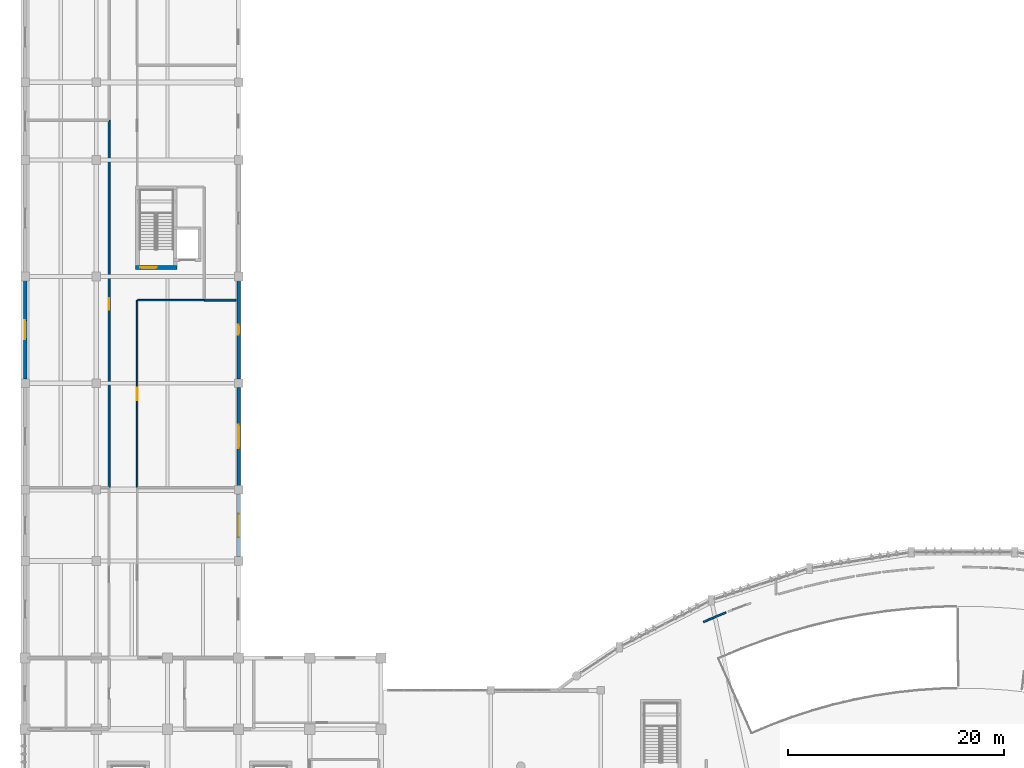
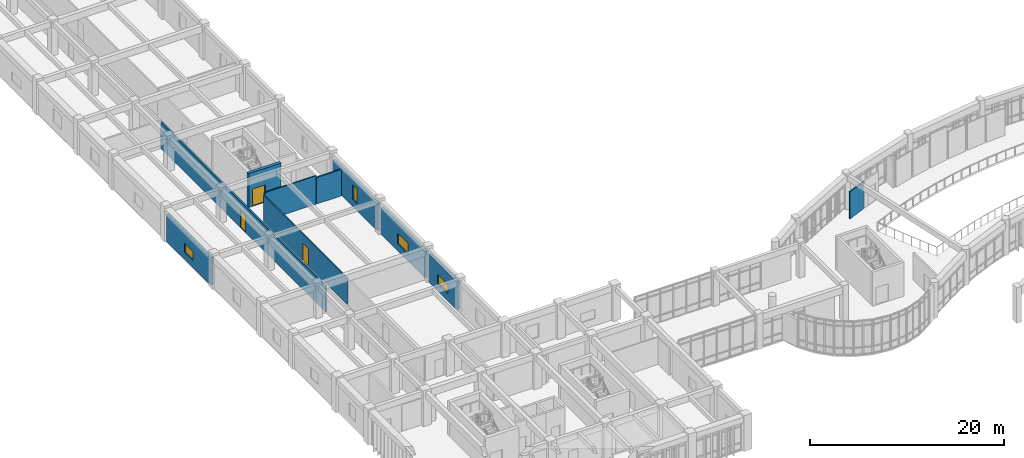
# One storey, part 44 of 57: 10 walls, 4 windows, 3 doors, 7 openings.
"""IFC4 building model written with IfcOpenShell, lengths in metres."""

from ifc_helpers import new_model, si_unit, direction, frame, frame_2d, origin, place, context, subcontext, project, spatial, rectangle, extrude, material, layer, layer_set, type_object, element, fill, save


model = new_model("IFC4")

# Units and contexts
model_context = context("Model", 3, precision=1e-05, world=origin(), true_north=direction((0.0, 1.0)))
body_context = subcontext(model_context, "Body", "Model", "MODEL_VIEW")
ifc_project = project(units=[si_unit("LENGTHUNIT", "METRE"), si_unit("AREAUNIT", "SQUARE_METRE"), si_unit("VOLUMEUNIT", "CUBIC_METRE"), si_unit("PLANEANGLEUNIT", "RADIAN"), si_unit("MASSUNIT", "GRAM", prefix="KILO")], contexts=[model_context])

# Site, building, storey
site_placement = place(None, origin())
site = spatial("IfcSite", under=ifc_project, at=site_placement, CompositionType="ELEMENT")
building_placement = place(site_placement, origin())
building = spatial("IfcBuilding", under=site, at=building_placement, Name="Miralva Faculty of Natural Sciences", CompositionType="ELEMENT")
storey_placement = place(building_placement, frame((0.0, 0.0, 15.0)))
storey = spatial("IfcBuildingStorey", under=building, at=storey_placement, Name="L03", CompositionType="ELEMENT", Elevation=15.0)

# Wall, opening, door
ifc_material_1 = material(Name="Concrete C50/60", Category="concrete")
ifc_layer_1 = layer(ifc_material_1, 0.35009765625, Name="WL-CW02")
ifc_layer_set_1 = layer_set([ifc_layer_1], Name="Concrete C50/60")
wall_type_1 = type_object("IfcWallType", Name="WL-CW02", PredefinedType="SHEAR", material=ifc_layer_set_1)
wall_1_placement = place(storey_placement, frame((13.25, 66.22509765625, 0.0), z_axis=(0.0, 0.0, 1.0), x_axis=(1.0, 0.0, 0.0)))
wall_1 = element("IfcWall", 1, at=wall_1_placement, inside=storey, type_object=wall_type_1, Name="Core C2 shear wall south L03", PredefinedType="SHEAR", context=body_context, shape_type="SweptSolid", body=[
    extrude(rectangle(XDim=3.85009765625, YDim=0.35009765625, at=frame_2d((1.925048828125, 0.0))), origin(), (0.0, 0.0, 1.0), 4.280029296875),
])
opening_1_placement = place(wall_1_placement, frame((0.449951171875, 0.0, 0.0)))
opening_1 = element("IfcOpeningElement", 2, at=opening_1_placement, cuts=wall_1, Name="Opening D-11", PredefinedType="OPENING", context=body_context, shape_type="SweptSolid", body=[
    extrude(rectangle(XDim=1.5, YDim=2.199951171875, at=frame_2d((0.75, 1.10009765625))), frame((0.0, 0.18505859375, 0.0), z_axis=(0.0, -1.0, 0.0), x_axis=(1.0, 0.0, 0.0)), (0.0, 0.0, 1.0), 0.3701171875),
])
ifc_material_2 = material(Name="Galvanised steel", Category="steel")
door_type_1 = type_object("IfcDoorType", Name="DR-DI11", OperationType="DOUBLE_DOOR_SINGLE_SWING", PredefinedType="DOOR", material=ifc_material_2)
door_1_placement = place(opening_1_placement, frame((1.5, 0.0, 0.0), z_axis=(0.0, 0.0, 1.0), x_axis=(-1.0, 0.0, 0.0)))
door_1 = element("IfcDoor", 3, at=door_1_placement, inside=storey, type_object=door_type_1, Name="Protected exit stair door Core C2 L03", OperationType="DOUBLE_DOOR_SINGLE_SWING", OverallHeight=2.199951171875, OverallWidth=1.5, PredefinedType="DOOR", context=body_context, shape_type="SweptSolid", body=[
    extrude(rectangle(XDim=1.5, YDim=2.199951171875, at=frame_2d((0.75, 1.10009765625))), frame((0.0, 0.02490234375, 0.0), z_axis=(0.0, -1.0, 0.0), x_axis=(1.0, 0.0, 0.0)), (0.0, 0.0, 1.0), 0.050048828125),
])
fill(opening_1, door_1)

# Wall
ifc_material_3 = material(Name="Gypsum plasterboard")
ifc_layer_2 = layer(ifc_material_3, 0.179931640625, Name="WL-PT02")
ifc_layer_set_2 = layer_set([ifc_layer_2], Name="Gypsum plasterboard")
wall_type_2 = type_object("IfcWallType", Name="WL-PT02", PredefinedType="PARTITIONING", material=ifc_layer_set_2)
wall_2_placement = place(storey_placement, frame((19.6298828125, 63.199951171875, 0.0), z_axis=(0.0, 0.0, 1.0), x_axis=(1.0, 0.0, 0.0)))
element("IfcWall", 4, at=wall_2_placement, inside=storey, type_object=wall_type_2, Name="Interior partition PT-02 L03-386", PredefinedType="PARTITIONING", context=body_context, shape_type="SweptSolid", body=[
    extrude(rectangle(XDim=2.940185546875, YDim=0.179931640625, at=frame_2d((1.47021484375, 0.0))), origin(), (0.0, 0.0, 1.0), 3.324951171875),
])

# Wall, opening, door
wall_3_placement = place(storey_placement, frame((10.800048828125, 45.830078125, 0.0), z_axis=(0.0, 0.0, 1.0), x_axis=(0.0, 1.0, 0.0)))
wall_3 = element("IfcWall", 5, at=wall_3_placement, inside=storey, type_object=wall_type_2, Name="Interior partition PT-02 L03-390", PredefinedType="PARTITIONING", context=body_context, shape_type="SweptSolid", body=[
    extrude(rectangle(XDim=34.0400390625, YDim=0.179931640625, at=frame_2d((17.02001953125, 0.0))), origin(), (0.0, 0.0, 1.0), 3.294921875),
])
opening_2_placement = place(wall_3_placement, frame((16.4951171875, 0.0, 0.0)))
opening_2 = element("IfcOpeningElement", 6, at=opening_2_placement, cuts=wall_3, Name="Opening D-15", PredefinedType="OPENING", context=body_context, shape_type="SweptSolid", body=[
    extrude(rectangle(XDim=1.050048828125, YDim=2.199951171875, at=frame_2d((0.52490234375, 1.10009765625))), frame((0.0, 0.099853515625, 0.0), z_axis=(0.0, -1.0, 0.0), x_axis=(1.0, 0.0, 0.0)), (0.0, 0.0, 1.0), 0.199951171875),
])
door_type_2 = type_object("IfcDoorType", Name="DR-DI15", OperationType="NOTDEFINED", PredefinedType="DOOR", material=ifc_material_2)
door_2_placement = place(opening_2_placement, origin())
door_2 = element("IfcDoor", 7, at=door_2_placement, inside=storey, type_object=door_type_2, Name="Interior door D-15 L03-144", OperationType="SINGLE_SWING_LEFT", OverallHeight=2.199951171875, OverallWidth=1.050048828125, PredefinedType="DOOR", context=body_context, shape_type="SweptSolid", body=[
    extrude(rectangle(XDim=1.050048828125, YDim=2.199951171875, at=frame_2d((0.52490234375, 1.10009765625))), frame((0.0, 0.02490234375, 0.0), z_axis=(0.0, -1.0, 0.0), x_axis=(1.0, 0.0, 0.0)), (0.0, 0.0, 1.0), 0.050048828125),
])
fill(opening_2, door_2)

# Wall
ifc_layer_3 = layer(ifc_material_3, 0.159912109375, Name="WL-PT03")
ifc_layer_set_3 = layer_set([ifc_layer_3], Name="Gypsum plasterboard")
wall_type_3 = type_object("IfcWallType", Name="WL-PT03", PredefinedType="PARTITIONING", material=ifc_layer_set_3)
wall_4_placement = place(storey_placement, frame((65.9169921875, 33.35205078125, 0.0), z_axis=(0.0, 0.0, 1.0), x_axis=(0.921787384168, 0.38769578072, 0.0)))
element("IfcWall", 8, at=wall_4_placement, inside=storey, type_object=wall_type_3, Name="Interior partition PT-03 L03-341", PredefinedType="PARTITIONING", context=body_context, shape_type="SweptSolid", body=[
    extrude(rectangle(XDim=2.266357421875, YDim=0.159912109375, at=frame_2d((1.13330078125, 0.0))), origin(), (0.0, 0.0, 1.0), 3.405029296875),
])

# Wall, opening, door
ifc_layer_4 = layer(ifc_material_3, 0.139892578125, Name="WL-PT04")
ifc_layer_set_4 = layer_set([ifc_layer_4], Name="Gypsum plasterboard")
wall_type_4 = type_object("IfcWallType", Name="WL-PT04", PredefinedType="PARTITIONING", material=ifc_layer_set_4)
wall_5_placement = place(storey_placement, frame((13.39990234375, 45.830078125, 0.0), z_axis=(0.0, 0.0, 1.0), x_axis=(0.0, 1.0, 0.0)))
wall_5 = element("IfcWall", 9, at=wall_5_placement, inside=storey, type_object=wall_type_4, Name="Interior partition PT-04 L03-387", PredefinedType="PARTITIONING", context=body_context, shape_type="SweptSolid", body=[
    extrude(rectangle(XDim=17.33984375, YDim=0.139892578125, at=frame_2d((8.669921875, 0.0))), origin(), (0.0, 0.0, 1.0), 3.294921875),
])
opening_3_placement = place(wall_5_placement, frame((8.094970703125, 0.0, 0.0)))
opening_3 = element("IfcOpeningElement", 10, at=opening_3_placement, cuts=wall_5, Name="Opening D-24", PredefinedType="OPENING", context=body_context, shape_type="SweptSolid", body=[
    extrude(rectangle(XDim=1.14990234375, YDim=2.14990234375, at=frame_2d((0.574951171875, 1.074951171875))), frame((0.0, 0.079833984375, 0.0), z_axis=(0.0, -1.0, 0.0), x_axis=(1.0, 0.0, 0.0)), (0.0, 0.0, 1.0), 0.159912109375),
])
ifc_material_4 = material(Name="Anodised aluminium", Category="aluminium")
door_type_3 = type_object("IfcDoorType", Name="DR-DI24", OperationType="NOTDEFINED", PredefinedType="DOOR", material=ifc_material_4)
door_3_placement = place(opening_3_placement, origin())
door_3 = element("IfcDoor", 11, at=door_3_placement, inside=storey, type_object=door_type_3, Name="Interior door D-24 L03-143", OperationType="SINGLE_SWING_RIGHT", OverallHeight=2.14990234375, OverallWidth=1.14990234375, PredefinedType="DOOR", context=body_context, shape_type="SweptSolid", body=[
    extrude(rectangle(XDim=1.14990234375, YDim=2.14990234375, at=frame_2d((0.574951171875, 1.074951171875))), frame((0.0, 0.02490234375, 0.0), z_axis=(0.0, -1.0, 0.0), x_axis=(1.0, 0.0, 0.0)), (0.0, 0.0, 1.0), 0.050048828125),
])
fill(opening_3, door_3)

# Wall
wall_6_placement = place(storey_placement, frame((13.455078125, 63.199951171875, 0.0), z_axis=(0.0, 0.0, 1.0), x_axis=(1.0, 0.0, 0.0)))
element("IfcWall", 12, at=wall_6_placement, inside=storey, type_object=wall_type_4, Name="Interior partition PT-04 L03-388", PredefinedType="PARTITIONING", context=body_context, shape_type="SweptSolid", body=[
    extrude(rectangle(XDim=6.114990234375, YDim=0.139892578125, at=frame_2d((3.0576171875, 0.0))), origin(), (0.0, 0.0, 1.0), 3.574951171875),
])

# Wall, opening, window
ifc_material_5 = material(Name="Precast concrete C40/50", Category="concrete")
ifc_layer_5 = layer(ifc_material_5, 0.320068359375, Name="WL-WT02")
ifc_layer_set_5 = layer_set([ifc_layer_5], Name="Precast concrete C40/50")
wall_type_5 = type_object("IfcWallType", Name="WL-WT02", PredefinedType="SOLIDWALL", material=ifc_layer_set_5)
wall_7_placement = place(storey_placement, frame((3.0, 55.885009765625, 0.0), z_axis=(0.0, 0.0, 1.0), x_axis=(0.0, 1.0, 0.0)))
wall_7 = element("IfcWall", 13, at=wall_7_placement, inside=storey, type_object=wall_type_5, Name="Exterior wall L03-236", PredefinedType="SOLIDWALL", context=body_context, shape_type="SweptSolid", body=[
    extrude(rectangle(XDim=9.1298828125, YDim=0.320068359375, at=frame_2d((4.56494140625, 0.0))), origin(), (0.0, 0.0, 1.0), 3.47509765625),
])
opening_4_placement = place(wall_7_placement, frame((3.68994140625, 0.0, 0.89990234375)))
opening_4 = element("IfcOpeningElement", 14, at=opening_4_placement, cuts=wall_7, Name="Opening W-61", PredefinedType="OPENING", context=body_context, shape_type="SweptSolid", body=[
    extrude(rectangle(XDim=1.75, YDim=1.14990234375, at=frame_2d((0.875, 0.574951171875))), frame((0.0, 0.169921875, 0.0), z_axis=(0.0, -1.0, 0.0), x_axis=(1.0, 0.0, 0.0)), (0.0, 0.0, 1.0), 0.340087890625),
])
ifc_material_6 = material(Name="Laminated solar-control glass", Category="glass")
window_type_1 = type_object("IfcWindowType", Name="WN-W61", PartitioningType="DOUBLE_PANEL_VERTICAL", PredefinedType="WINDOW", material=ifc_material_6)
window_1_placement = place(opening_4_placement, origin())
window_1 = element("IfcWindow", 15, at=window_1_placement, inside=storey, type_object=window_type_1, Name="Window W-61 L03-173", OverallHeight=1.14990234375, OverallWidth=1.75, PartitioningType="DOUBLE_PANEL_VERTICAL", PredefinedType="WINDOW", context=body_context, shape_type="SweptSolid", body=[
    extrude(rectangle(XDim=1.75, YDim=1.14990234375, at=frame_2d((0.875, 0.574951171875))), frame((0.0, 0.030029296875, 0.0), z_axis=(0.0, -1.0, 0.0), x_axis=(1.0, 0.0, 0.0)), (0.0, 0.0, 1.0), 0.06005859375),
])
fill(opening_4, window_1)

wall_8_placement = place(storey_placement, frame((22.800048828125, 39.385009765625, 0.0), z_axis=(0.0, 0.0, 1.0), x_axis=(0.0, 1.0, 0.0)))
wall_8 = element("IfcWall", 16, at=wall_8_placement, inside=storey, type_object=wall_type_5, Name="Exterior wall L03-244", PredefinedType="SOLIDWALL", context=body_context, shape_type="SweptSolid", body=[
    extrude(rectangle(XDim=5.830078125, YDim=0.320068359375, at=frame_2d((2.9150390625, 0.0))), origin(), (0.0, 0.0, 1.0), 3.52490234375),
])
opening_5_placement = place(wall_8_placement, frame((1.840087890625, 0.0, 0.89990234375)))
opening_5 = element("IfcOpeningElement", 17, at=opening_5_placement, cuts=wall_8, Name="Opening W-69", PredefinedType="OPENING", context=body_context, shape_type="SweptSolid", body=[
    extrude(rectangle(XDim=2.14990234375, YDim=1.14990234375, at=frame_2d((1.074951171875, 0.574951171875))), frame((0.0, 0.169921875, 0.0), z_axis=(0.0, -1.0, 0.0), x_axis=(1.0, 0.0, 0.0)), (0.0, 0.0, 1.0), 0.340087890625),
])
window_type_2 = type_object("IfcWindowType", Name="WN-W69", PartitioningType="DOUBLE_PANEL_VERTICAL", PredefinedType="WINDOW", material=ifc_material_6)
window_2_placement = place(opening_5_placement, frame((2.14990234375, 0.0, 0.0), z_axis=(0.0, 0.0, 1.0), x_axis=(-1.0, 0.0, 0.0)))
window_2 = element("IfcWindow", 18, at=window_2_placement, inside=storey, type_object=window_type_2, Name="Window W-69 L03-181", OverallHeight=1.14990234375, OverallWidth=2.14990234375, PartitioningType="DOUBLE_PANEL_VERTICAL", PredefinedType="WINDOW", context=body_context, shape_type="SweptSolid", body=[
    extrude(rectangle(XDim=2.14990234375, YDim=1.14990234375, at=frame_2d((1.074951171875, 0.574951171875))), frame((0.0, 0.030029296875, 0.0), z_axis=(0.0, -1.0, 0.0), x_axis=(1.0, 0.0, 0.0)), (0.0, 0.0, 1.0), 0.06005859375),
])
fill(opening_5, window_2)

wall_9_placement = place(storey_placement, frame((22.800048828125, 45.985107421875, 0.0), z_axis=(0.0, 0.0, 1.0), x_axis=(0.0, 1.0, 0.0)))
wall_9 = element("IfcWall", 19, at=wall_9_placement, inside=storey, type_object=wall_type_5, Name="Exterior wall L03-245", PredefinedType="SOLIDWALL", context=body_context, shape_type="SweptSolid", body=[
    extrude(rectangle(XDim=9.1298828125, YDim=0.320068359375, at=frame_2d((4.56494140625, 0.0))), origin(), (0.0, 0.0, 1.0), 3.324951171875),
])
opening_6_placement = place(wall_9_placement, frame((3.489990234375, 0.0, 0.89990234375)))
opening_6 = element("IfcOpeningElement", 20, at=opening_6_placement, cuts=wall_9, Name="Opening W-70", PredefinedType="OPENING", context=body_context, shape_type="SweptSolid", body=[
    extrude(rectangle(XDim=2.14990234375, YDim=1.35009765625, at=frame_2d((1.074951171875, 0.675048828125))), frame((0.0, 0.169921875, 0.0), z_axis=(0.0, -1.0, 0.0), x_axis=(1.0, 0.0, 0.0)), (0.0, 0.0, 1.0), 0.340087890625),
])
window_type_3 = type_object("IfcWindowType", Name="WN-W70", PartitioningType="DOUBLE_PANEL_VERTICAL", PredefinedType="WINDOW", material=ifc_material_6)
window_3_placement = place(opening_6_placement, frame((2.14990234375, 0.0, 0.0), z_axis=(0.0, 0.0, 1.0), x_axis=(-1.0, 0.0, 0.0)))
window_3 = element("IfcWindow", 21, at=window_3_placement, inside=storey, type_object=window_type_3, Name="Window W-70 L03-182", OverallHeight=1.35009765625, OverallWidth=2.14990234375, PartitioningType="DOUBLE_PANEL_VERTICAL", PredefinedType="WINDOW", context=body_context, shape_type="SweptSolid", body=[
    extrude(rectangle(XDim=2.14990234375, YDim=1.35009765625, at=frame_2d((1.074951171875, 0.675048828125))), frame((0.0, 0.030029296875, 0.0), z_axis=(0.0, -1.0, 0.0), x_axis=(1.0, 0.0, 0.0)), (0.0, 0.0, 1.0), 0.06005859375),
])
fill(opening_6, window_3)

wall_10_placement = place(storey_placement, frame((22.800048828125, 55.885009765625, 0.0), z_axis=(0.0, 0.0, 1.0), x_axis=(0.0, 1.0, 0.0)))
wall_10 = element("IfcWall", 22, at=wall_10_placement, inside=storey, type_object=wall_type_5, Name="Exterior wall L03-246", PredefinedType="SOLIDWALL", context=body_context, shape_type="SweptSolid", body=[
    extrude(rectangle(XDim=9.1298828125, YDim=0.320068359375, at=frame_2d((4.56494140625, 0.0))), origin(), (0.0, 0.0, 1.0), 3.324951171875),
])
opening_7_placement = place(wall_10_placement, frame((4.114990234375, 0.0, 0.89990234375)))
opening_7 = element("IfcOpeningElement", 23, at=opening_7_placement, cuts=wall_10, Name="Opening W-01", PredefinedType="OPENING", context=body_context, shape_type="SweptSolid", body=[
    extrude(rectangle(XDim=0.89990234375, YDim=1.800048828125, at=frame_2d((0.449951171875, 0.89990234375))), frame((0.0, 0.169921875, 0.0), z_axis=(0.0, -1.0, 0.0), x_axis=(1.0, 0.0, 0.0)), (0.0, 0.0, 1.0), 0.340087890625),
])
window_type_4 = type_object("IfcWindowType", Name="WN-W01", PartitioningType="SINGLE_PANEL", PredefinedType="WINDOW", material=ifc_material_6)
window_4_placement = place(opening_7_placement, frame((0.89990234375, 0.0, 0.0), z_axis=(0.0, 0.0, 1.0), x_axis=(-1.0, 0.0, 0.0)))
window_4 = element("IfcWindow", 24, at=window_4_placement, inside=storey, type_object=window_type_4, Name="Window W-01 L03-183", OverallHeight=1.800048828125, OverallWidth=0.89990234375, PartitioningType="SINGLE_PANEL", PredefinedType="WINDOW", context=body_context, shape_type="SweptSolid", body=[
    extrude(rectangle(XDim=0.89990234375, YDim=1.800048828125, at=frame_2d((0.449951171875, 0.89990234375))), frame((0.0, 0.030029296875, 0.0), z_axis=(0.0, -1.0, 0.0), x_axis=(1.0, 0.0, 0.0)), (0.0, 0.0, 1.0), 0.06005859375),
])
fill(opening_7, window_4)

save(model, "model.ifc")
